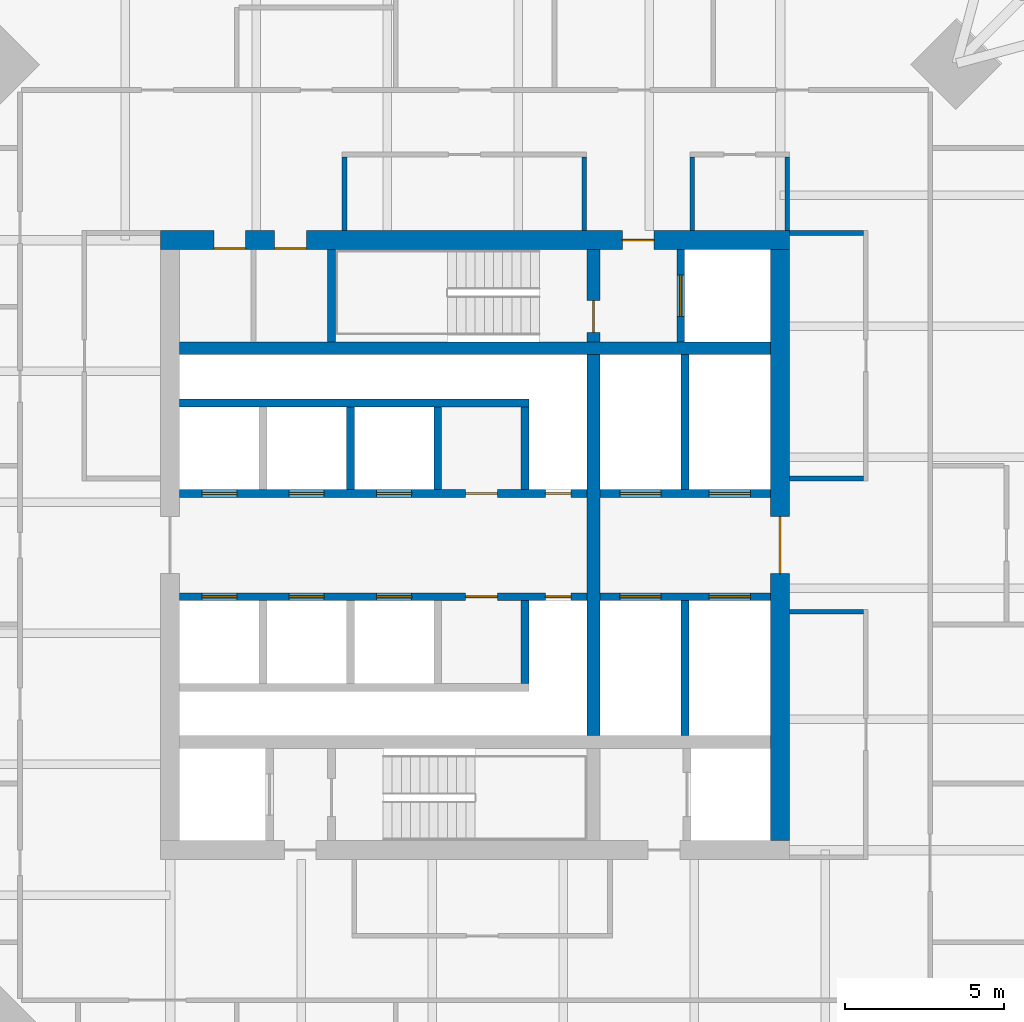
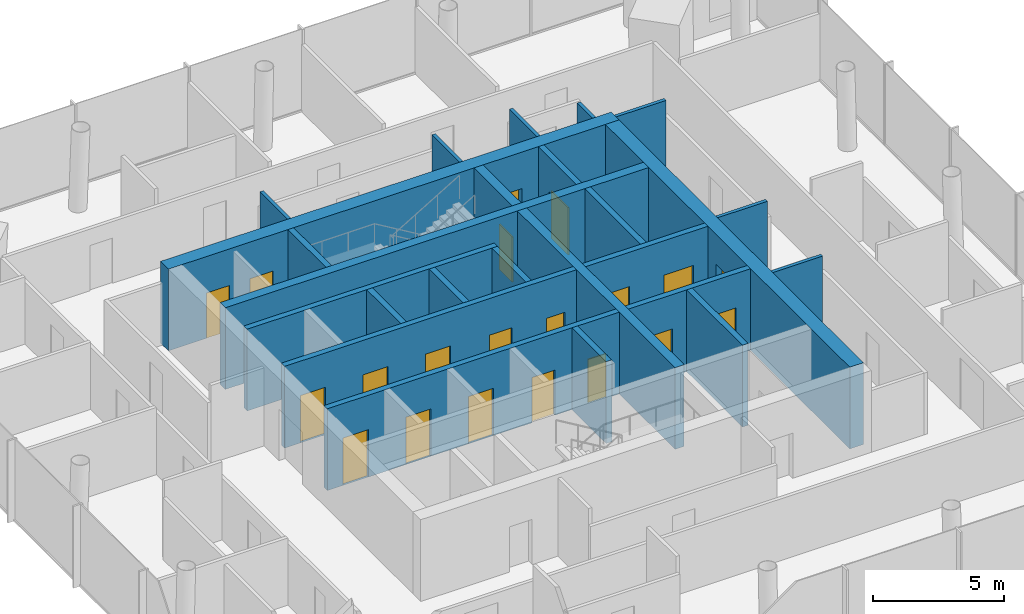
# One storey, part 5 of 8: 25 walls, 20 doors, 20 openings.
"""IFC4 building model written with IfcOpenShell, lengths in metres."""

from ifc_helpers import new_model, si_unit, direction, frame, frame_2d, origin, place, context, subcontext, project, spatial, rectangle, extrude, material, layer, layer_set, type_object, element, fill, save


model = new_model("IFC4")

# Units and contexts
model_context = context("Model", 3, precision=1e-05, world=origin(), true_north=direction((0.0, 1.0)))
body_context = subcontext(model_context, "Body", "Model", "MODEL_VIEW")
ifc_project = project(units=[si_unit("LENGTHUNIT", "METRE"), si_unit("AREAUNIT", "SQUARE_METRE"), si_unit("VOLUMEUNIT", "CUBIC_METRE"), si_unit("PLANEANGLEUNIT", "RADIAN"), si_unit("MASSUNIT", "GRAM", prefix="KILO")], contexts=[model_context])

# Site, building, storey
site_placement = place(None, origin())
site = spatial("IfcSite", under=ifc_project, at=site_placement, CompositionType="ELEMENT")
building_placement = place(site_placement, origin())
building = spatial("IfcBuilding", under=site, at=building_placement, Name="Ostroluk Exchange", CompositionType="ELEMENT")
storey_placement = place(building_placement, frame((0.0, 0.0, 169.199951171875)))
storey = spatial("IfcBuildingStorey", under=building, at=storey_placement, Name="L43", CompositionType="ELEMENT", Elevation=169.199951171875)

# Walls
ifc_material_1 = material(Name="Concrete C50/60", Category="concrete")
ifc_layer_1 = layer(ifc_material_1, 0.39990234375)
ifc_layer_set_1 = layer_set([ifc_layer_1], Name="Core cross wall 400 C50/60")
wall_type_1 = type_object("IfcWallType", Name="Core cross wall 400 C50/60", PredefinedType="SHEAR", material=ifc_layer_set_1)
wall_1_placement = place(storey_placement, frame((35.699951171875, 52.199951171875, 0.0), z_axis=(0.0, 0.0, 1.0), x_axis=(1.0, 0.0, 0.0)))
element("IfcWall", 1, at=wall_1_placement, inside=storey, type_object=wall_type_1, Name="T1 core wall XN", PredefinedType="SHEAR", context=body_context, shape_type="SweptSolid", body=[
    extrude(rectangle(XDim=18.60009765625, YDim=0.39990234375, at=frame_2d((9.300048828125, 0.0))), origin(), (0.0, 0.0, 1.0), 3.800048828125),
])
wall_2_placement = place(storey_placement, frame((48.72998046875, 40.0, 0.0), z_axis=(0.0, 0.0, 1.0), x_axis=(0.0, 1.0, 0.0)))
element("IfcWall", 2, at=wall_2_placement, inside=storey, type_object=wall_type_1, Name="T1 core wall YE2", PredefinedType="SHEAR", context=body_context, shape_type="SweptSolid", body=[
    extrude(rectangle(XDim=12.0, YDim=0.39990234375, at=frame_2d((6.0, 0.0))), origin(), (0.0, 0.0, 1.0), 3.800048828125),
])

# Wall, opening, door
wall_3_placement = place(storey_placement, frame((48.72998046875, 52.39990234375, 0.0), z_axis=(0.0, 0.0, 1.0), x_axis=(0.0, 1.0, 0.0)))
wall_3 = element("IfcWall", 3, at=wall_3_placement, inside=storey, type_object=wall_type_1, Name="T1 core wall YE3", PredefinedType="SHEAR", context=body_context, shape_type="SweptSolid", body=[
    extrude(rectangle(XDim=2.900146484375, YDim=0.39990234375, at=frame_2d((1.4501953125, 0.0))), origin(), (0.0, 0.0, 1.0), 3.800048828125),
])
opening_1_placement = place(wall_3_placement, frame((0.300048828125, 0.0, 0.0)))
opening_1 = element("IfcOpeningElement", 4, at=opening_1_placement, cuts=wall_3, Name="Opening FD60", PredefinedType="OPENING", context=body_context, shape_type="SweptSolid", body=[
    extrude(rectangle(XDim=1.0, YDim=2.10009765625, at=frame_2d((0.5, 1.050048828125))), frame((0.0, 0.2099609375, 0.0), z_axis=(0.0, -1.0, 0.0), x_axis=(1.0, 0.0, 0.0)), (0.0, 0.0, 1.0), 0.419921875),
])
ifc_material_2 = material(Name="Steel", Category="steel")
door_type_1 = type_object("IfcDoorType", Name="Fire door EI 60 1000 x 2100", OperationType="SINGLE_SWING_LEFT", PredefinedType="DOOR", material=ifc_material_2)
door_1_placement = place(opening_1_placement, origin())
door_1 = element("IfcDoor", 5, at=door_1_placement, inside=storey, type_object=door_type_1, Name="Stair T1-S2 door", OperationType="SINGLE_SWING_LEFT", OverallHeight=2.10009765625, OverallWidth=1.0, PredefinedType="DOOR", context=body_context, shape_type="SweptSolid", body=[
    extrude(rectangle(XDim=1.0, YDim=2.10009765625, at=frame_2d((0.5, 1.050048828125))), frame((0.0, 0.02490234375, 0.0), z_axis=(0.0, -1.0, 0.0), x_axis=(1.0, 0.0, 0.0)), (0.0, 0.0, 1.0), 0.050048828125),
])
fill(opening_1, door_1)

# Wall
ifc_material_3 = material(Name="Concrete C40/50", Category="concrete")
ifc_layer_2 = layer(ifc_material_3, 0.25)
ifc_layer_set_2 = layer_set([ifc_layer_2], Name="Core shaft wall 250")
wall_type_2 = type_object("IfcWallType", Name="Core shaft wall 250", PredefinedType="SHEAR", material=ifc_layer_set_2)
wall_4_placement = place(storey_placement, frame((40.47509765625, 52.39990234375, 0.0), z_axis=(0.0, 0.0, 1.0), x_axis=(0.0, 1.0, 0.0)))
element("IfcWall", 6, at=wall_4_placement, inside=storey, type_object=wall_type_2, Name="Stair shaft wall", PredefinedType="SHEAR", context=body_context, shape_type="SweptSolid", body=[
    extrude(rectangle(XDim=2.900146484375, YDim=0.25, at=frame_2d((1.4501953125, 0.0))), origin(), (0.0, 0.0, 1.0), 3.800048828125),
])

# Wall, opening, door
wall_5_placement = place(storey_placement, frame((51.47509765625, 52.39990234375, 0.0), z_axis=(0.0, 0.0, 1.0), x_axis=(0.0, 1.0, 0.0)))
wall_5 = element("IfcWall", 7, at=wall_5_placement, inside=storey, type_object=wall_type_2, Name="Firefighting lift shaft wall", PredefinedType="SHEAR", context=body_context, shape_type="SweptSolid", body=[
    extrude(rectangle(XDim=2.900146484375, YDim=0.25, at=frame_2d((1.4501953125, 0.0))), origin(), (0.0, 0.0, 1.0), 3.800048828125),
])
opening_2_placement = place(wall_5_placement, frame((0.800048828125, 0.0, 0.0)))
opening_2 = element("IfcOpeningElement", 8, at=opening_2_placement, cuts=wall_5, Name="Opening LD2", PredefinedType="OPENING", context=body_context, shape_type="SweptSolid", body=[
    extrude(rectangle(XDim=1.300048828125, YDim=2.199951171875, at=frame_2d((0.64990234375, 1.10009765625))), frame((0.0, 0.135009765625, 0.0), z_axis=(0.0, -1.0, 0.0), x_axis=(1.0, 0.0, 0.0)), (0.0, 0.0, 1.0), 0.27001953125),
])
ifc_material_4 = material(Name="Stainless steel", Category="steel")
door_type_2 = type_object("IfcDoorType", Name="Lift landing door E 60 1300 x 2200", OperationType="DOUBLE_DOOR_SLIDING", PredefinedType="DOOR", material=ifc_material_4)
door_2_placement = place(opening_2_placement, origin())
door_2 = element("IfcDoor", 9, at=door_2_placement, inside=storey, type_object=door_type_2, Name="Lift FL2 landing door", OperationType="DOUBLE_DOOR_SLIDING", OverallHeight=2.199951171875, OverallWidth=1.300048828125, PredefinedType="DOOR", context=body_context, shape_type="SweptSolid", body=[
    extrude(rectangle(XDim=1.300048828125, YDim=2.199951171875, at=frame_2d((0.64990234375, 1.10009765625))), frame((0.0, 0.02490234375, 0.0), z_axis=(0.0, -1.0, 0.0), x_axis=(1.0, 0.0, 0.0)), (0.0, 0.0, 1.0), 0.050048828125),
])
fill(opening_2, door_2)

# Walls
for number, where, z_axis, x_axis, name in (
    (10, (41.074951171875, 47.75, 0.0), (0.0, 0.0, 1.0), (0.0, 1.0, 0.0), "Lift shaft wall"),
    (11, (43.824951171875, 47.75, 0.0), (0.0, 0.0, 1.0), (0.0, 1.0, 0.0), "Lift shaft wall"),
    (12, (46.574951171875, 47.75, 0.0), (0.0, 0.0, 1.0), (0.0, 1.0, 0.0), "Lift shaft wall"),
):
    element("IfcWall", number, at=place(storey_placement, frame(where, z_axis=z_axis, x_axis=x_axis)), inside=storey, type_object=wall_type_2, Name=name, PredefinedType="SHEAR", context=body_context, shape_type="SweptSolid", body=[
        extrude(rectangle(XDim=2.60009765625, YDim=0.25, at=frame_2d((1.300048828125, 0.0))), origin(), (0.0, 0.0, 1.0), 3.800048828125),
    ])
wall_6_placement = place(storey_placement, frame((35.699951171875, 50.47509765625, 0.0), z_axis=(0.0, 0.0, 1.0), x_axis=(1.0, 0.0, 0.0)))
element("IfcWall", 13, at=wall_6_placement, inside=storey, type_object=wall_type_2, Name="Lift shaft wall", PredefinedType="SHEAR", context=body_context, shape_type="SweptSolid", body=[
    extrude(rectangle(XDim=11.0, YDim=0.25, at=frame_2d((5.5, 0.0))), origin(), (0.0, 0.0, 1.0), 3.800048828125),
])

# Wall, openings, doors
wall_7_placement = place(storey_placement, frame((35.699951171875, 47.625, 0.0), z_axis=(0.0, 0.0, 1.0), x_axis=(1.0, 0.0, 0.0)))
wall_7 = element("IfcWall", 14, at=wall_7_placement, inside=storey, type_object=wall_type_2, Name="Lift shaft front wall", PredefinedType="SHEAR", context=body_context, shape_type="SweptSolid", body=[
    extrude(rectangle(XDim=12.830078125, YDim=0.25, at=frame_2d((6.4150390625, 0.0))), origin(), (0.0, 0.0, 1.0), 3.800048828125),
])
opening_3_placement = place(wall_7_placement, frame((0.699951171875, 0.0, 0.0)))
opening_3 = element("IfcOpeningElement", 15, at=opening_3_placement, cuts=wall_7, Name="Opening LD", PredefinedType="OPENING", context=body_context, shape_type="SweptSolid", body=[
    extrude(rectangle(XDim=1.10009765625, YDim=2.199951171875, at=frame_2d((0.550048828125, 1.10009765625))), frame((0.0, 0.135009765625, 0.0), z_axis=(0.0, -1.0, 0.0), x_axis=(1.0, 0.0, 0.0)), (0.0, 0.0, 1.0), 0.27001953125),
])
opening_4_placement = place(wall_7_placement, frame((3.449951171875, 0.0, 0.0)))
opening_4 = element("IfcOpeningElement", 16, at=opening_4_placement, cuts=wall_7, Name="Opening LD", PredefinedType="OPENING", context=body_context, shape_type="SweptSolid", body=[
    extrude(rectangle(XDim=1.10009765625, YDim=2.199951171875, at=frame_2d((0.550048828125, 1.10009765625))), frame((0.0, 0.135009765625, 0.0), z_axis=(0.0, -1.0, 0.0), x_axis=(1.0, 0.0, 0.0)), (0.0, 0.0, 1.0), 0.27001953125),
])
opening_5_placement = place(wall_7_placement, frame((6.199951171875, 0.0, 0.0)))
opening_5 = element("IfcOpeningElement", 17, at=opening_5_placement, cuts=wall_7, Name="Opening LD", PredefinedType="OPENING", context=body_context, shape_type="SweptSolid", body=[
    extrude(rectangle(XDim=1.10009765625, YDim=2.199951171875, at=frame_2d((0.550048828125, 1.10009765625))), frame((0.0, 0.135009765625, 0.0), z_axis=(0.0, -1.0, 0.0), x_axis=(1.0, 0.0, 0.0)), (0.0, 0.0, 1.0), 0.27001953125),
])
opening_6_placement = place(wall_7_placement, frame((9.0, 0.0, 0.0)))
opening_6 = element("IfcOpeningElement", 18, at=opening_6_placement, cuts=wall_7, Name="Opening FD60", PredefinedType="OPENING", context=body_context, shape_type="SweptSolid", body=[
    extrude(rectangle(XDim=1.0, YDim=2.10009765625, at=frame_2d((0.5, 1.050048828125))), frame((0.0, 0.135009765625, 0.0), z_axis=(0.0, -1.0, 0.0), x_axis=(1.0, 0.0, 0.0)), (0.0, 0.0, 1.0), 0.27001953125),
])
opening_7_placement = place(wall_7_placement, frame((11.514892578125, 0.0, 0.0)))
opening_7 = element("IfcOpeningElement", 19, at=opening_7_placement, cuts=wall_7, Name="Opening RD60", PredefinedType="OPENING", context=body_context, shape_type="SweptSolid", body=[
    extrude(rectangle(XDim=0.800048828125, YDim=2.0, at=frame_2d((0.39990234375, 1.0))), frame((0.0, 0.135009765625, 0.0), z_axis=(0.0, -1.0, 0.0), x_axis=(1.0, 0.0, 0.0)), (0.0, 0.0, 1.0), 0.27001953125),
])
door_3_placement = place(opening_6_placement, origin())
door_3 = element("IfcDoor", 20, at=door_3_placement, inside=storey, type_object=door_type_1, Name="Core room door", OperationType="SINGLE_SWING_RIGHT", OverallHeight=2.10009765625, OverallWidth=1.0, PredefinedType="DOOR", context=body_context, shape_type="SweptSolid", body=[
    extrude(rectangle(XDim=1.0, YDim=2.10009765625, at=frame_2d((0.5, 1.050048828125))), frame((0.0, 0.02490234375, 0.0), z_axis=(0.0, -1.0, 0.0), x_axis=(1.0, 0.0, 0.0)), (0.0, 0.0, 1.0), 0.050048828125),
])
fill(opening_6, door_3)
ifc_material_5 = material(Name="Stainless steel", Category="steel")
door_type_3 = type_object("IfcDoorType", Name="Lift landing door E 60 1100 x 2200", OperationType="DOUBLE_DOOR_SLIDING", PredefinedType="DOOR", material=ifc_material_5)
door_4_placement = place(opening_3_placement, origin())
door_4 = element("IfcDoor", 21, at=door_4_placement, inside=storey, type_object=door_type_3, Name="Lift PL-H1 landing door", OperationType="DOUBLE_DOOR_SLIDING", OverallHeight=2.199951171875, OverallWidth=1.10009765625, PredefinedType="DOOR", context=body_context, shape_type="SweptSolid", body=[
    extrude(rectangle(XDim=1.10009765625, YDim=2.199951171875, at=frame_2d((0.550048828125, 1.10009765625))), frame((0.0, 0.02490234375, 0.0), z_axis=(0.0, -1.0, 0.0), x_axis=(1.0, 0.0, 0.0)), (0.0, 0.0, 1.0), 0.050048828125),
])
fill(opening_3, door_4)
door_5_placement = place(opening_4_placement, origin())
door_5 = element("IfcDoor", 22, at=door_5_placement, inside=storey, type_object=door_type_3, Name="Lift PL-H2 landing door", OperationType="DOUBLE_DOOR_SLIDING", OverallHeight=2.199951171875, OverallWidth=1.10009765625, PredefinedType="DOOR", context=body_context, shape_type="SweptSolid", body=[
    extrude(rectangle(XDim=1.10009765625, YDim=2.199951171875, at=frame_2d((0.550048828125, 1.10009765625))), frame((0.0, 0.02490234375, 0.0), z_axis=(0.0, -1.0, 0.0), x_axis=(1.0, 0.0, 0.0)), (0.0, 0.0, 1.0), 0.050048828125),
])
fill(opening_4, door_5)
door_6_placement = place(opening_5_placement, origin())
door_6 = element("IfcDoor", 23, at=door_6_placement, inside=storey, type_object=door_type_3, Name="Lift PL-H3 landing door", OperationType="DOUBLE_DOOR_SLIDING", OverallHeight=2.199951171875, OverallWidth=1.10009765625, PredefinedType="DOOR", context=body_context, shape_type="SweptSolid", body=[
    extrude(rectangle(XDim=1.10009765625, YDim=2.199951171875, at=frame_2d((0.550048828125, 1.10009765625))), frame((0.0, 0.02490234375, 0.0), z_axis=(0.0, -1.0, 0.0), x_axis=(1.0, 0.0, 0.0)), (0.0, 0.0, 1.0), 0.050048828125),
])
fill(opening_5, door_6)
ifc_material_6 = material(Name="Steel", Category="steel")
door_type_4 = type_object("IfcDoorType", Name="Riser access door EI 60 800 x 2000", OperationType="SINGLE_SWING_LEFT", PredefinedType="DOOR", material=ifc_material_6)
door_7_placement = place(opening_7_placement, origin())
door_7 = element("IfcDoor", 24, at=door_7_placement, inside=storey, type_object=door_type_4, Name="Riser access door", OperationType="SINGLE_SWING_RIGHT", OverallHeight=2.0, OverallWidth=0.800048828125, PredefinedType="DOOR", context=body_context, shape_type="SweptSolid", body=[
    extrude(rectangle(XDim=0.800048828125, YDim=2.0, at=frame_2d((0.39990234375, 1.0))), frame((0.0, 0.02490234375, 0.0), z_axis=(0.0, -1.0, 0.0), x_axis=(1.0, 0.0, 0.0)), (0.0, 0.0, 1.0), 0.050048828125),
])
fill(opening_7, door_7)

# Wall
wall_8_placement = place(storey_placement, frame((46.574951171875, 44.25, 0.0), z_axis=(0.0, 0.0, 1.0), x_axis=(0.0, -1.0, 0.0)))
element("IfcWall", 25, at=wall_8_placement, inside=storey, type_object=wall_type_2, Name="Lift shaft wall", PredefinedType="SHEAR", context=body_context, shape_type="SweptSolid", body=[
    extrude(rectangle(XDim=2.60009765625, YDim=0.25, at=frame_2d((1.300048828125, 0.0))), origin(), (0.0, 0.0, 1.0), 3.800048828125),
])

# Wall, openings, doors
wall_9_placement = place(storey_placement, frame((35.699951171875, 44.375, 0.0), z_axis=(0.0, 0.0, 1.0), x_axis=(1.0, 0.0, 0.0)))
wall_9 = element("IfcWall", 26, at=wall_9_placement, inside=storey, type_object=wall_type_2, Name="Lift shaft front wall", PredefinedType="SHEAR", context=body_context, shape_type="SweptSolid", body=[
    extrude(rectangle(XDim=12.830078125, YDim=0.25, at=frame_2d((6.4150390625, 0.0))), origin(), (0.0, 0.0, 1.0), 3.800048828125),
])
opening_8_placement = place(wall_9_placement, frame((0.699951171875, 0.0, 0.0)))
opening_8 = element("IfcOpeningElement", 27, at=opening_8_placement, cuts=wall_9, Name="Opening LD", PredefinedType="OPENING", context=body_context, shape_type="SweptSolid", body=[
    extrude(rectangle(XDim=1.10009765625, YDim=2.199951171875, at=frame_2d((0.550048828125, 1.10009765625))), frame((0.0, 0.135009765625, 0.0), z_axis=(0.0, -1.0, 0.0), x_axis=(1.0, 0.0, 0.0)), (0.0, 0.0, 1.0), 0.27001953125),
])
opening_9_placement = place(wall_9_placement, frame((3.449951171875, 0.0, 0.0)))
opening_9 = element("IfcOpeningElement", 28, at=opening_9_placement, cuts=wall_9, Name="Opening LD", PredefinedType="OPENING", context=body_context, shape_type="SweptSolid", body=[
    extrude(rectangle(XDim=1.10009765625, YDim=2.199951171875, at=frame_2d((0.550048828125, 1.10009765625))), frame((0.0, 0.135009765625, 0.0), z_axis=(0.0, -1.0, 0.0), x_axis=(1.0, 0.0, 0.0)), (0.0, 0.0, 1.0), 0.27001953125),
])
opening_10_placement = place(wall_9_placement, frame((6.199951171875, 0.0, 0.0)))
opening_10 = element("IfcOpeningElement", 29, at=opening_10_placement, cuts=wall_9, Name="Opening LD", PredefinedType="OPENING", context=body_context, shape_type="SweptSolid", body=[
    extrude(rectangle(XDim=1.10009765625, YDim=2.199951171875, at=frame_2d((0.550048828125, 1.10009765625))), frame((0.0, 0.135009765625, 0.0), z_axis=(0.0, -1.0, 0.0), x_axis=(1.0, 0.0, 0.0)), (0.0, 0.0, 1.0), 0.27001953125),
])
opening_11_placement = place(wall_9_placement, frame((9.0, 0.0, 0.0)))
opening_11 = element("IfcOpeningElement", 30, at=opening_11_placement, cuts=wall_9, Name="Opening FD60", PredefinedType="OPENING", context=body_context, shape_type="SweptSolid", body=[
    extrude(rectangle(XDim=1.0, YDim=2.10009765625, at=frame_2d((0.5, 1.050048828125))), frame((0.0, 0.135009765625, 0.0), z_axis=(0.0, -1.0, 0.0), x_axis=(1.0, 0.0, 0.0)), (0.0, 0.0, 1.0), 0.27001953125),
])
opening_12_placement = place(wall_9_placement, frame((11.514892578125, 0.0, 0.0)))
opening_12 = element("IfcOpeningElement", 31, at=opening_12_placement, cuts=wall_9, Name="Opening RD60", PredefinedType="OPENING", context=body_context, shape_type="SweptSolid", body=[
    extrude(rectangle(XDim=0.800048828125, YDim=2.0, at=frame_2d((0.39990234375, 1.0))), frame((0.0, 0.135009765625, 0.0), z_axis=(0.0, -1.0, 0.0), x_axis=(1.0, 0.0, 0.0)), (0.0, 0.0, 1.0), 0.27001953125),
])
door_8_placement = place(opening_11_placement, origin())
door_8 = element("IfcDoor", 32, at=door_8_placement, inside=storey, type_object=door_type_1, Name="Core room door", OperationType="SINGLE_SWING_RIGHT", OverallHeight=2.10009765625, OverallWidth=1.0, PredefinedType="DOOR", context=body_context, shape_type="SweptSolid", body=[
    extrude(rectangle(XDim=1.0, YDim=2.10009765625, at=frame_2d((0.5, 1.050048828125))), frame((0.0, 0.02490234375, 0.0), z_axis=(0.0, -1.0, 0.0), x_axis=(1.0, 0.0, 0.0)), (0.0, 0.0, 1.0), 0.050048828125),
])
fill(opening_11, door_8)
door_9_placement = place(opening_8_placement, origin())
door_9 = element("IfcDoor", 33, at=door_9_placement, inside=storey, type_object=door_type_3, Name="Lift PL-H4 landing door", OperationType="DOUBLE_DOOR_SLIDING", OverallHeight=2.199951171875, OverallWidth=1.10009765625, PredefinedType="DOOR", context=body_context, shape_type="SweptSolid", body=[
    extrude(rectangle(XDim=1.10009765625, YDim=2.199951171875, at=frame_2d((0.550048828125, 1.10009765625))), frame((0.0, 0.02490234375, 0.0), z_axis=(0.0, -1.0, 0.0), x_axis=(1.0, 0.0, 0.0)), (0.0, 0.0, 1.0), 0.050048828125),
])
fill(opening_8, door_9)
door_10_placement = place(opening_9_placement, origin())
door_10 = element("IfcDoor", 34, at=door_10_placement, inside=storey, type_object=door_type_3, Name="Lift PL-H5 landing door", OperationType="DOUBLE_DOOR_SLIDING", OverallHeight=2.199951171875, OverallWidth=1.10009765625, PredefinedType="DOOR", context=body_context, shape_type="SweptSolid", body=[
    extrude(rectangle(XDim=1.10009765625, YDim=2.199951171875, at=frame_2d((0.550048828125, 1.10009765625))), frame((0.0, 0.02490234375, 0.0), z_axis=(0.0, -1.0, 0.0), x_axis=(1.0, 0.0, 0.0)), (0.0, 0.0, 1.0), 0.050048828125),
])
fill(opening_9, door_10)
door_11_placement = place(opening_10_placement, origin())
door_11 = element("IfcDoor", 35, at=door_11_placement, inside=storey, type_object=door_type_3, Name="Lift PL-H6 landing door", OperationType="DOUBLE_DOOR_SLIDING", OverallHeight=2.199951171875, OverallWidth=1.10009765625, PredefinedType="DOOR", context=body_context, shape_type="SweptSolid", body=[
    extrude(rectangle(XDim=1.10009765625, YDim=2.199951171875, at=frame_2d((0.550048828125, 1.10009765625))), frame((0.0, 0.02490234375, 0.0), z_axis=(0.0, -1.0, 0.0), x_axis=(1.0, 0.0, 0.0)), (0.0, 0.0, 1.0), 0.050048828125),
])
fill(opening_10, door_11)
door_12_placement = place(opening_12_placement, origin())
door_12 = element("IfcDoor", 36, at=door_12_placement, inside=storey, type_object=door_type_4, Name="Riser access door", OperationType="SINGLE_SWING_RIGHT", OverallHeight=2.0, OverallWidth=0.800048828125, PredefinedType="DOOR", context=body_context, shape_type="SweptSolid", body=[
    extrude(rectangle(XDim=0.800048828125, YDim=2.0, at=frame_2d((0.39990234375, 1.0))), frame((0.0, 0.02490234375, 0.0), z_axis=(0.0, -1.0, 0.0), x_axis=(1.0, 0.0, 0.0)), (0.0, 0.0, 1.0), 0.050048828125),
])
fill(opening_12, door_12)

# Wall
wall_10_placement = place(storey_placement, frame((51.614990234375, 47.75, 0.0), z_axis=(0.0, 0.0, 1.0), x_axis=(0.0, 1.0, 0.0)))
element("IfcWall", 37, at=wall_10_placement, inside=storey, type_object=wall_type_2, Name="Lift shaft wall", PredefinedType="SHEAR", context=body_context, shape_type="SweptSolid", body=[
    extrude(rectangle(XDim=4.25, YDim=0.25, at=frame_2d((2.125, 0.0))), origin(), (0.0, 0.0, 1.0), 3.800048828125),
])

# Wall, openings, doors
wall_11_placement = place(storey_placement, frame((48.929931640625, 47.625, 0.0), z_axis=(0.0, 0.0, 1.0), x_axis=(1.0, 0.0, 0.0)))
wall_11 = element("IfcWall", 38, at=wall_11_placement, inside=storey, type_object=wall_type_2, Name="Lift shaft front wall", PredefinedType="SHEAR", context=body_context, shape_type="SweptSolid", body=[
    extrude(rectangle(XDim=5.3701171875, YDim=0.25, at=frame_2d((2.68505859375, 0.0))), origin(), (0.0, 0.0, 1.0), 3.800048828125),
])
opening_13_placement = place(wall_11_placement, frame((0.6298828125, 0.0, 0.0)))
opening_13 = element("IfcOpeningElement", 39, at=opening_13_placement, cuts=wall_11, Name="Opening LD2", PredefinedType="OPENING", context=body_context, shape_type="SweptSolid", body=[
    extrude(rectangle(XDim=1.300048828125, YDim=2.199951171875, at=frame_2d((0.64990234375, 1.10009765625))), frame((0.0, 0.135009765625, 0.0), z_axis=(0.0, -1.0, 0.0), x_axis=(1.0, 0.0, 0.0)), (0.0, 0.0, 1.0), 0.27001953125),
])
opening_14_placement = place(wall_11_placement, frame((3.43994140625, 0.0, 0.0)))
opening_14 = element("IfcOpeningElement", 40, at=opening_14_placement, cuts=wall_11, Name="Opening LD2", PredefinedType="OPENING", context=body_context, shape_type="SweptSolid", body=[
    extrude(rectangle(XDim=1.300048828125, YDim=2.199951171875, at=frame_2d((0.64990234375, 1.10009765625))), frame((0.0, 0.135009765625, 0.0), z_axis=(0.0, -1.0, 0.0), x_axis=(1.0, 0.0, 0.0)), (0.0, 0.0, 1.0), 0.27001953125),
])
door_13_placement = place(opening_13_placement, origin())
door_13 = element("IfcDoor", 41, at=door_13_placement, inside=storey, type_object=door_type_2, Name="Lift SX1 landing door", OperationType="DOUBLE_DOOR_SLIDING", OverallHeight=2.199951171875, OverallWidth=1.300048828125, PredefinedType="DOOR", context=body_context, shape_type="SweptSolid", body=[
    extrude(rectangle(XDim=1.300048828125, YDim=2.199951171875, at=frame_2d((0.64990234375, 1.10009765625))), frame((0.0, 0.02490234375, 0.0), z_axis=(0.0, -1.0, 0.0), x_axis=(1.0, 0.0, 0.0)), (0.0, 0.0, 1.0), 0.050048828125),
])
fill(opening_13, door_13)
door_14_placement = place(opening_14_placement, origin())
door_14 = element("IfcDoor", 42, at=door_14_placement, inside=storey, type_object=door_type_2, Name="Lift SX2 landing door", OperationType="DOUBLE_DOOR_SLIDING", OverallHeight=2.199951171875, OverallWidth=1.300048828125, PredefinedType="DOOR", context=body_context, shape_type="SweptSolid", body=[
    extrude(rectangle(XDim=1.300048828125, YDim=2.199951171875, at=frame_2d((0.64990234375, 1.10009765625))), frame((0.0, 0.02490234375, 0.0), z_axis=(0.0, -1.0, 0.0), x_axis=(1.0, 0.0, 0.0)), (0.0, 0.0, 1.0), 0.050048828125),
])
fill(opening_14, door_14)

# Wall
wall_12_placement = place(storey_placement, frame((51.614990234375, 44.25, 0.0), z_axis=(0.0, 0.0, 1.0), x_axis=(0.0, -1.0, 0.0)))
element("IfcWall", 43, at=wall_12_placement, inside=storey, type_object=wall_type_2, Name="Lift shaft wall", PredefinedType="SHEAR", context=body_context, shape_type="SweptSolid", body=[
    extrude(rectangle(XDim=4.25, YDim=0.25, at=frame_2d((2.125, 0.0))), origin(), (0.0, 0.0, 1.0), 3.800048828125),
])

# Wall, openings, doors
wall_13_placement = place(storey_placement, frame((48.929931640625, 44.375, 0.0), z_axis=(0.0, 0.0, 1.0), x_axis=(1.0, 0.0, 0.0)))
wall_13 = element("IfcWall", 44, at=wall_13_placement, inside=storey, type_object=wall_type_2, Name="Lift shaft front wall", PredefinedType="SHEAR", context=body_context, shape_type="SweptSolid", body=[
    extrude(rectangle(XDim=5.3701171875, YDim=0.25, at=frame_2d((2.68505859375, 0.0))), origin(), (0.0, 0.0, 1.0), 3.800048828125),
])
opening_15_placement = place(wall_13_placement, frame((0.6298828125, 0.0, 0.0)))
opening_15 = element("IfcOpeningElement", 45, at=opening_15_placement, cuts=wall_13, Name="Opening LD2", PredefinedType="OPENING", context=body_context, shape_type="SweptSolid", body=[
    extrude(rectangle(XDim=1.300048828125, YDim=2.199951171875, at=frame_2d((0.64990234375, 1.10009765625))), frame((0.0, 0.135009765625, 0.0), z_axis=(0.0, -1.0, 0.0), x_axis=(1.0, 0.0, 0.0)), (0.0, 0.0, 1.0), 0.27001953125),
])
opening_16_placement = place(wall_13_placement, frame((3.43994140625, 0.0, 0.0)))
opening_16 = element("IfcOpeningElement", 46, at=opening_16_placement, cuts=wall_13, Name="Opening LD2", PredefinedType="OPENING", context=body_context, shape_type="SweptSolid", body=[
    extrude(rectangle(XDim=1.300048828125, YDim=2.199951171875, at=frame_2d((0.64990234375, 1.10009765625))), frame((0.0, 0.135009765625, 0.0), z_axis=(0.0, -1.0, 0.0), x_axis=(1.0, 0.0, 0.0)), (0.0, 0.0, 1.0), 0.27001953125),
])
door_15_placement = place(opening_15_placement, origin())
door_15 = element("IfcDoor", 47, at=door_15_placement, inside=storey, type_object=door_type_2, Name="Lift SX3 landing door", OperationType="DOUBLE_DOOR_SLIDING", OverallHeight=2.199951171875, OverallWidth=1.300048828125, PredefinedType="DOOR", context=body_context, shape_type="SweptSolid", body=[
    extrude(rectangle(XDim=1.300048828125, YDim=2.199951171875, at=frame_2d((0.64990234375, 1.10009765625))), frame((0.0, 0.02490234375, 0.0), z_axis=(0.0, -1.0, 0.0), x_axis=(1.0, 0.0, 0.0)), (0.0, 0.0, 1.0), 0.050048828125),
])
fill(opening_15, door_15)
door_16_placement = place(opening_16_placement, origin())
door_16 = element("IfcDoor", 48, at=door_16_placement, inside=storey, type_object=door_type_2, Name="Lift SX4 landing door", OperationType="DOUBLE_DOOR_SLIDING", OverallHeight=2.199951171875, OverallWidth=1.300048828125, PredefinedType="DOOR", context=body_context, shape_type="SweptSolid", body=[
    extrude(rectangle(XDim=1.300048828125, YDim=2.199951171875, at=frame_2d((0.64990234375, 1.10009765625))), frame((0.0, 0.02490234375, 0.0), z_axis=(0.0, -1.0, 0.0), x_axis=(1.0, 0.0, 0.0)), (0.0, 0.0, 1.0), 0.050048828125),
])
fill(opening_16, door_16)

ifc_material_7 = material(Name="Concrete C50/60", Category="concrete")
ifc_layer_3 = layer(ifc_material_7, 0.60009765625)
ifc_layer_set_3 = layer_set([ifc_layer_3], Name="Core wall 600 C50/60")
wall_type_3 = type_object("IfcWallType", Name="Core wall 600 C50/60", PredefinedType="SHEAR", material=ifc_layer_set_3)
wall_14_placement = place(storey_placement, frame((35.10009765625, 55.60009765625, 0.0), z_axis=(0.0, 0.0, 1.0), x_axis=(1.0, 0.0, 0.0)))
wall_14 = element("IfcWall", 49, at=wall_14_placement, inside=storey, type_object=wall_type_3, Name="T1 core wall N", PredefinedType="SHEAR", context=body_context, shape_type="SweptSolid", body=[
    extrude(rectangle(XDim=19.7998046875, YDim=0.60009765625, at=frame_2d((9.89990234375, 0.0))), origin(), (0.0, 0.0, 1.0), 3.800048828125),
])
opening_17_placement = place(wall_14_placement, frame((14.5400390625, 0.0, 0.0)))
opening_17 = element("IfcOpeningElement", 50, at=opening_17_placement, cuts=wall_14, Name="Opening FD60", PredefinedType="OPENING", context=body_context, shape_type="SweptSolid", body=[
    extrude(rectangle(XDim=1.0, YDim=2.10009765625, at=frame_2d((0.5, 1.050048828125))), frame((0.0, 0.31005859375, 0.0), z_axis=(0.0, -1.0, 0.0), x_axis=(1.0, 0.0, 0.0)), (0.0, 0.0, 1.0), 0.6201171875),
])
opening_18_placement = place(wall_14_placement, frame((1.675048828125, 0.0, 0.0)))
opening_18 = element("IfcOpeningElement", 51, at=opening_18_placement, cuts=wall_14, Name="Opening FD60", PredefinedType="OPENING", context=body_context, shape_type="SweptSolid", body=[
    extrude(rectangle(XDim=1.0, YDim=2.10009765625, at=frame_2d((0.5, 1.050048828125))), frame((0.0, 0.31005859375, 0.0), z_axis=(0.0, -1.0, 0.0), x_axis=(1.0, 0.0, 0.0)), (0.0, 0.0, 1.0), 0.6201171875),
])
opening_19_placement = place(wall_14_placement, frame((3.58740234375, 0.0, 0.0)))
opening_19 = element("IfcOpeningElement", 52, at=opening_19_placement, cuts=wall_14, Name="Opening FD60", PredefinedType="OPENING", context=body_context, shape_type="SweptSolid", body=[
    extrude(rectangle(XDim=1.0, YDim=2.10009765625, at=frame_2d((0.5, 1.050048828125))), frame((0.0, 0.31005859375, 0.0), z_axis=(0.0, -1.0, 0.0), x_axis=(1.0, 0.0, 0.0)), (0.0, 0.0, 1.0), 0.6201171875),
])
door_17_placement = place(opening_17_placement, origin())
door_17 = element("IfcDoor", 53, at=door_17_placement, inside=storey, type_object=door_type_1, Name="Firefighting lobby door", OperationType="SINGLE_SWING_RIGHT", OverallHeight=2.10009765625, OverallWidth=1.0, PredefinedType="DOOR", context=body_context, shape_type="SweptSolid", body=[
    extrude(rectangle(XDim=1.0, YDim=2.10009765625, at=frame_2d((0.5, 1.050048828125))), frame((0.0, 0.02490234375, 0.0), z_axis=(0.0, -1.0, 0.0), x_axis=(1.0, 0.0, 0.0)), (0.0, 0.0, 1.0), 0.050048828125),
])
fill(opening_17, door_17)
door_18_placement = place(opening_18_placement, origin())
door_18 = element("IfcDoor", 54, at=door_18_placement, inside=storey, type_object=door_type_1, Name="Tea point door", OperationType="SINGLE_SWING_LEFT", OverallHeight=2.10009765625, OverallWidth=1.0, PredefinedType="DOOR", context=body_context, shape_type="SweptSolid", body=[
    extrude(rectangle(XDim=1.0, YDim=2.10009765625, at=frame_2d((0.5, 1.050048828125))), frame((0.0, -0.23974609375, 0.0), z_axis=(0.0, -1.0, 0.0), x_axis=(1.0, 0.0, 0.0)), (0.0, 0.0, 1.0), 0.050048828125),
])
fill(opening_18, door_18)
door_19_placement = place(opening_19_placement, origin())
door_19 = element("IfcDoor", 55, at=door_19_placement, inside=storey, type_object=door_type_1, Name="Print and post room door", OperationType="SINGLE_SWING_LEFT", OverallHeight=2.10009765625, OverallWidth=1.0, PredefinedType="DOOR", context=body_context, shape_type="SweptSolid", body=[
    extrude(rectangle(XDim=1.0, YDim=2.10009765625, at=frame_2d((0.5, 1.050048828125))), frame((0.0, -0.23974609375, 0.0), z_axis=(0.0, -1.0, 0.0), x_axis=(1.0, 0.0, 0.0)), (0.0, 0.0, 1.0), 0.050048828125),
])
fill(opening_19, door_19)

# Wall, opening, door
wall_15_placement = place(storey_placement, frame((54.60009765625, 36.699951171875, 0.0), z_axis=(0.0, 0.0, 1.0), x_axis=(0.0, 1.0, 0.0)))
wall_15 = element("IfcWall", 56, at=wall_15_placement, inside=storey, type_object=wall_type_3, Name="T1 core wall E", PredefinedType="SHEAR", context=body_context, shape_type="SweptSolid", body=[
    extrude(rectangle(XDim=18.60009765625, YDim=0.60009765625, at=frame_2d((9.300048828125, 0.0))), origin(), (0.0, 0.0, 1.0), 3.800048828125),
])
opening_20_placement = place(wall_15_placement, frame((8.39990234375, 0.0, 0.0)))
opening_20 = element("IfcOpeningElement", 57, at=opening_20_placement, cuts=wall_15, Name="Opening FD30D", PredefinedType="OPENING", context=body_context, shape_type="SweptSolid", body=[
    extrude(rectangle(XDim=1.800048828125, YDim=2.39990234375, at=frame_2d((0.89990234375, 1.199951171875))), frame((0.0, 0.31005859375, 0.0), z_axis=(0.0, -1.0, 0.0), x_axis=(1.0, 0.0, 0.0)), (0.0, 0.0, 1.0), 0.6201171875),
])
ifc_material_8 = material(Name="Timber", Category="wood")
door_type_5 = type_object("IfcDoorType", Name="Lobby double door EI 30 1800 x 2400", OperationType="DOUBLE_DOOR_SINGLE_SWING", PredefinedType="DOOR", material=ifc_material_8)
door_20_placement = place(opening_20_placement, origin())
door_20 = element("IfcDoor", 58, at=door_20_placement, inside=storey, type_object=door_type_5, Name="Lift lobby doors", OperationType="DOUBLE_DOOR_SINGLE_SWING", OverallHeight=2.39990234375, OverallWidth=1.800048828125, PredefinedType="DOOR", context=body_context, shape_type="SweptSolid", body=[
    extrude(rectangle(XDim=1.800048828125, YDim=2.39990234375, at=frame_2d((0.89990234375, 1.199951171875))), frame((0.0, 0.02490234375, 0.0), z_axis=(0.0, -1.0, 0.0), x_axis=(1.0, 0.0, 0.0)), (0.0, 0.0, 1.0), 0.050048828125),
])
fill(opening_20, door_20)

# Walls
ifc_material_9 = material(Name="Gypsum plasterboard partition", Category="gypsum")
ifc_layer_4 = layer(ifc_material_9, 0.14990234375)
ifc_layer_set_4 = layer_set([ifc_layer_4], Name="Plasterboard partition 150")
wall_type_4 = type_object("IfcWallType", Name="Plasterboard partition 150", PredefinedType="PARTITIONING", material=ifc_layer_set_4)
for number, where, z_axis, x_axis, name in (
    (59, (54.89990234375, 43.89990234375, 0.0), (0.0, 0.0, 1.0), (1.0, 0.0, 0.0), "Partition"),
    (60, (54.89990234375, 48.10009765625, 0.0), (0.0, 0.0, 1.0), (1.0, 0.0, 0.0), "Partition"),
    (61, (54.89990234375, 55.824951171875, 0.0), (0.0, 0.0, 1.0), (1.0, 0.0, 0.0), "Partition"),
):
    element("IfcWall", number, at=place(storey_placement, frame(where, z_axis=z_axis, x_axis=x_axis)), inside=storey, type_object=wall_type_4, Name=name, PredefinedType="PARTITIONING", context=body_context, shape_type="SweptSolid", body=[
        extrude(rectangle(XDim=2.3251953125, YDim=0.14990234375, at=frame_2d((1.16259765625, 0.0))), origin(), (0.0, 0.0, 1.0), 3.6201171875),
    ])
wall_16_placement = place(storey_placement, frame((54.824951171875, 55.89990234375, 0.0), z_axis=(0.0, 0.0, 1.0), x_axis=(0.0, 1.0, 0.0)))
element("IfcWall", 62, at=wall_16_placement, inside=storey, type_object=wall_type_4, Name="Partition", PredefinedType="PARTITIONING", context=body_context, shape_type="SweptSolid", body=[
    extrude(rectangle(XDim=2.3251953125, YDim=0.14990234375, at=frame_2d((1.16259765625, 0.0))), origin(), (0.0, 0.0, 1.0), 2.866943359375),
])
for number, where, z_axis, x_axis, name in (
    (63, (51.840087890625, 55.89990234375, 0.0), (0.0, 0.0, 1.0), (0.0, 1.0, 0.0), "Partition"),
    (64, (48.43994140625, 55.89990234375, 0.0), (0.0, 0.0, 1.0), (0.0, 1.0, 0.0), "Partition"),
    (65, (40.887451171875, 55.89990234375, 0.0), (0.0, 0.0, 1.0), (0.0, 1.0, 0.0), "Partition"),
):
    element("IfcWall", number, at=place(storey_placement, frame(where, z_axis=z_axis, x_axis=x_axis)), inside=storey, type_object=wall_type_4, Name=name, PredefinedType="PARTITIONING", context=body_context, shape_type="SweptSolid", body=[
        extrude(rectangle(XDim=2.3251953125, YDim=0.14990234375, at=frame_2d((1.16259765625, 0.0))), origin(), (0.0, 0.0, 1.0), 3.6201171875),
    ])

save(model, "model.ifc")
